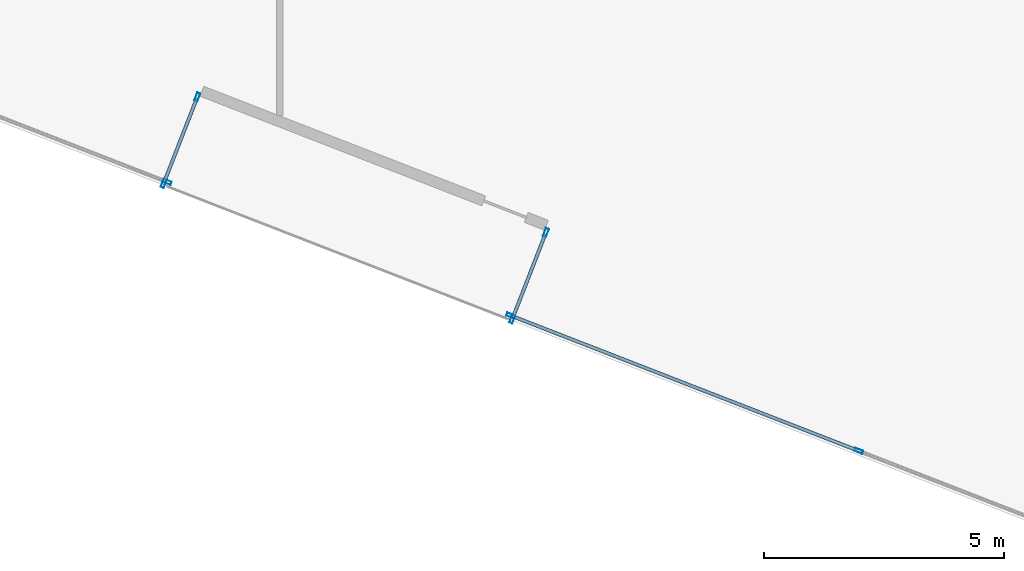
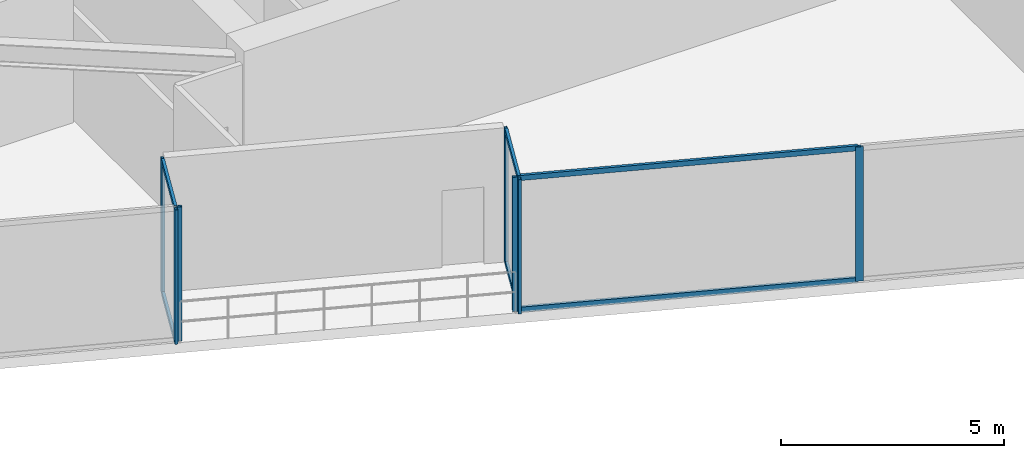
# One storey, part 3 of 26: 13 members, 4 elements without a shape of their own.
"""IFC4 building model written with IfcOpenShell, lengths in metres."""

from ifc_helpers import new_model, si_unit, direction, frame, origin, origin_2d, place, context, subcontext, project, spatial, hollow_rectangle, extrude, source, transform, mapped, material, material_profile, profile_set, type_object, type_shapes, element, aggregate, save


model = new_model("IFC4")

# Units and contexts
model_context = context("Model", 3, precision=1e-05, world=origin(), true_north=direction((0.0, 1.0)))
body_context = subcontext(model_context, "Body", "Model", "MODEL_VIEW")
ifc_project = project(units=[si_unit("LENGTHUNIT", "METRE"), si_unit("AREAUNIT", "SQUARE_METRE"), si_unit("VOLUMEUNIT", "CUBIC_METRE"), si_unit("PLANEANGLEUNIT", "RADIAN"), si_unit("MASSUNIT", "GRAM", prefix="KILO")], contexts=[model_context])

# Site, building, storey
site_placement = place(None, origin())
site = spatial("IfcSite", under=ifc_project, at=site_placement, CompositionType="ELEMENT")
building_placement = place(site_placement, origin())
building = spatial("IfcBuilding", under=site, at=building_placement, Name="Krantzveldt Concourse Tower", CompositionType="ELEMENT")
storey_placement = place(building_placement, frame((0.0, 0.0, 133.5)))
storey = spatial("IfcBuildingStorey", under=building, at=storey_placement, Name="L32", CompositionType="ELEMENT", Elevation=133.5)

# Curtain wall, member
ifc_material = material(Name="Anodised aluminium 6063-T6", Category="aluminium")
curtain_wall_type_1 = type_object("IfcCurtainWallType", Name="CW2", PredefinedType="USERDEFINED", material=ifc_material)
curtain_wall_1_placement = place(storey_placement, origin())
curtain_wall_1 = element("IfcCurtainWall", 1, at=curtain_wall_1_placement, inside=storey, type_object=curtain_wall_type_1, Name="CW-L32-F04", ObjectType="UNITISED CURTAIN WALL", PredefinedType="USERDEFINED")
ifc_material_profile_1 = material_profile(ifc_material, hollow_rectangle(XDim=0.070068359375, YDim=0.179931640625, WallThickness=0.0048828125, at=origin_2d()), Name="Anodised aluminium 6063-T6", Category="aluminium")
ifc_profile_set_1 = profile_set([ifc_material_profile_1], Name="Anodised aluminium 6063-T6 - ALU-MULL 180x70x5")
member_type_1 = type_object("IfcMemberType", Name="CW-MUL-180", PredefinedType="MULLION", material=ifc_profile_set_1)
shared_shape_1 = source(origin(), body_context, "Body", "SweptSolid", [
    extrude(hollow_rectangle(XDim=0.070068359375, YDim=0.179931640625, WallThickness=0.0048828125, at=origin_2d()), origin(), (0.0, 0.0, 1.0), 3.669921875),
])
type_shapes(member_type_1, [shared_shape_1])
member_1_placement = place(storey_placement, frame((23.977294921875, 6.36474609375, 0.0), z_axis=(0.0, 0.0, 1.0), x_axis=(0.362437908899, 0.932007919598, 0.0)))
member_1 = element("IfcMember", 2, at=member_1_placement, type_object=member_type_1, Name="CW-Z12 mullion 3", PredefinedType="MULLION", context=body_context, shape_type="MappedRepresentation", body=[
    mapped(shared_shape_1, transform((0.0, 0.0, 0.0), x_axis=(1.0, 0.0, 0.0), y_axis=(0.0, 1.0, 0.0), z_axis=(0.0, 0.0, 1.0), scale=1.0)),
])
aggregate(curtain_wall_1, [member_1])

# Curtain wall, members
curtain_wall_type_2 = type_object("IfcCurtainWallType", Name="CW6", PredefinedType="USERDEFINED", material=ifc_material)
curtain_wall_2_placement = place(storey_placement, origin())
curtain_wall_2 = element("IfcCurtainWall", 3, at=curtain_wall_2_placement, inside=storey, type_object=curtain_wall_type_2, Name="CW-L32-TR05", ObjectType="UNITISED CURTAIN WALL", PredefinedType="USERDEFINED")
member_2_placement = place(storey_placement, frame((23.906005859375, 6.33349609375, 0.0), z_axis=(0.0, 0.0, 1.0), x_axis=(-0.932007486518, 0.36243902256, 0.0)))
member_2 = element("IfcMember", 4, at=member_2_placement, type_object=member_type_1, Name="CW-TERR mullion 1", PredefinedType="MULLION", context=body_context, shape_type="MappedRepresentation", body=[
    mapped(shared_shape_1, transform((0.0, 0.0, 0.0), x_axis=(1.0, 0.0, 0.0), y_axis=(0.0, 1.0, 0.0), z_axis=(0.0, 0.0, 1.0), scale=1.0)),
])
member_3_placement = place(storey_placement, frame((24.605712890625, 8.13232421875, 0.0), z_axis=(0.0, 0.0, 1.0), x_axis=(-0.932007486518, 0.36243902256, 0.0)))
member_3 = element("IfcMember", 5, at=member_3_placement, type_object=member_type_1, Name="CW-TERR mullion 2", PredefinedType="MULLION", context=body_context, shape_type="MappedRepresentation", body=[
    mapped(shared_shape_1, transform((0.0, 0.0, 0.0), x_axis=(1.0, 0.0, 0.0), y_axis=(0.0, 1.0, 0.0), z_axis=(0.0, 0.0, 1.0), scale=1.0)),
])

curtain_wall_3_placement = place(storey_placement, origin())
curtain_wall_3 = element("IfcCurtainWall", 6, at=curtain_wall_3_placement, inside=storey, type_object=curtain_wall_type_2, Name="CW-L32-TR07", ObjectType="UNITISED CURTAIN WALL", PredefinedType="USERDEFINED")
member_4_placement = place(storey_placement, frame((31.856689453125, 5.3125, 0.0), z_axis=(0.0, 0.0, 1.0), x_axis=(0.932007486518, -0.36243902256, 0.0)))
member_4 = element("IfcMember", 7, at=member_4_placement, type_object=member_type_1, Name="CW-TERR mullion 1", PredefinedType="MULLION", context=body_context, shape_type="MappedRepresentation", body=[
    mapped(shared_shape_1, transform((0.0, 0.0, 0.0), x_axis=(1.0, 0.0, 0.0), y_axis=(0.0, 1.0, 0.0), z_axis=(0.0, 0.0, 1.0), scale=1.0)),
])
member_5_placement = place(storey_placement, frame((31.1572265625, 3.513671875, 0.0), z_axis=(0.0, 0.0, 1.0), x_axis=(0.932007486518, -0.36243902256, 0.0)))
member_5 = element("IfcMember", 8, at=member_5_placement, type_object=member_type_1, Name="CW-TERR mullion 2", PredefinedType="MULLION", context=body_context, shape_type="MappedRepresentation", body=[
    mapped(shared_shape_1, transform((0.0, 0.0, 0.0), x_axis=(1.0, 0.0, 0.0), y_axis=(0.0, 1.0, 0.0), z_axis=(0.0, 0.0, 1.0), scale=1.0)),
])

curtain_wall_4_placement = place(storey_placement, origin())
curtain_wall_4 = element("IfcCurtainWall", 9, at=curtain_wall_4_placement, inside=storey, type_object=curtain_wall_type_1, Name="CW-L32-F08", ObjectType="UNITISED CURTAIN WALL", PredefinedType="USERDEFINED")
member_6_placement = place(storey_placement, frame((31.125732421875, 3.5849609375, 0.0), z_axis=(0.0, 0.0, 1.0), x_axis=(0.362437908899, 0.932007919598, 0.0)))
member_6 = element("IfcMember", 10, at=member_6_placement, type_object=member_type_1, Name="CW-Z12 mullion 1", PredefinedType="MULLION", context=body_context, shape_type="MappedRepresentation", body=[
    mapped(shared_shape_1, transform((0.0, 0.0, 0.0), x_axis=(1.0, 0.0, 0.0), y_axis=(0.0, 1.0, 0.0), z_axis=(0.0, 0.0, 1.0), scale=1.0)),
])
member_7_placement = place(storey_placement, frame((38.36279296875, 0.7705078125, 0.0), z_axis=(0.0, 0.0, 1.0), x_axis=(0.362437908899, 0.932007919598, 0.0)))
member_7 = element("IfcMember", 11, at=member_7_placement, type_object=member_type_1, Name="CW-Z12 mullion 2", PredefinedType="MULLION", context=body_context, shape_type="MappedRepresentation", body=[
    mapped(shared_shape_1, transform((0.0, 0.0, 0.0), x_axis=(1.0, 0.0, 0.0), y_axis=(0.0, 1.0, 0.0), z_axis=(0.0, 0.0, 1.0), scale=1.0)),
])

# Member
ifc_material_profile_2 = material_profile(ifc_material, hollow_rectangle(XDim=0.070068359375, YDim=0.139892578125, WallThickness=0.0048828125, at=origin_2d()), Name="Anodised aluminium 6063-T6", Category="aluminium")
ifc_profile_set_2 = profile_set([ifc_material_profile_2], Name="Anodised aluminium 6063-T6 - ALU-TRAN 140x70x5")
member_type_2 = type_object("IfcMemberType", Name="CW-TRN-150", PredefinedType="USERDEFINED", material=ifc_profile_set_2)
shared_shape_2 = source(origin(), body_context, "Body", "SweptSolid", [
    extrude(hollow_rectangle(XDim=0.070068359375, YDim=0.139892578125, WallThickness=0.0048828125, at=origin_2d()), origin(), (0.0, 0.0, 1.0), 1.860107421875),
])
member_8_placement = place(storey_placement, frame((31.843994140625, 5.280029296875, 0.034912109375), z_axis=(-0.362389255196, -0.932026838518, 0.0), x_axis=(0.932026838518, -0.362389255196, 0.0)))
member_8 = element("IfcMember", 12, at=member_8_placement, type_object=member_type_2, Name="CW-TERR transom 1.1", ObjectType="TRANSOM", PredefinedType="USERDEFINED", context=body_context, shape_type="MappedRepresentation", body=[
    mapped(shared_shape_2, transform((0.0, 0.0, 0.0), x_axis=(1.0, 0.0, 0.0), y_axis=(0.0, 1.0, 0.0), z_axis=(0.0, 0.0, 1.0), scale=1.0)),
])

member_9_placement = place(storey_placement, frame((31.843994140625, 5.280029296875, 3.635009765625), z_axis=(-0.362389255196, -0.932026838518, 0.0), x_axis=(0.932026838518, -0.362389255196, 0.0)))
member_9 = element("IfcMember", 13, at=member_9_placement, type_object=member_type_2, Name="CW-TERR transom 1.2", ObjectType="TRANSOM", PredefinedType="USERDEFINED", context=body_context, shape_type="MappedRepresentation", body=[
    mapped(shared_shape_2, transform((0.0, 0.0, 0.0), x_axis=(1.0, 0.0, 0.0), y_axis=(0.0, 1.0, 0.0), z_axis=(0.0, 0.0, 1.0), scale=1.0)),
])

aggregate(curtain_wall_3, [member_4, member_5, member_8, member_9])

shared_shape_3 = source(origin(), body_context, "Body", "SweptSolid", [
    extrude(hollow_rectangle(XDim=0.070068359375, YDim=0.139892578125, WallThickness=0.0048828125, at=origin_2d()), origin(), (0.0, 0.0, 1.0), 7.695068359375),
])
member_10_placement = place(storey_placement, frame((31.158447265625, 3.572265625, 0.034912109375), z_axis=(0.932004671541, -0.362446261155, 0.0), x_axis=(0.362446261155, 0.932004671541, 0.0)))
member_10 = element("IfcMember", 14, at=member_10_placement, type_object=member_type_2, Name="CW-Z12 transom 1.1", ObjectType="TRANSOM", PredefinedType="USERDEFINED", context=body_context, shape_type="MappedRepresentation", body=[
    mapped(shared_shape_3, transform((0.0, 0.0, 0.0), x_axis=(1.0, 0.0, 0.0), y_axis=(0.0, 1.0, 0.0), z_axis=(0.0, 0.0, 1.0), scale=1.0)),
])

member_11_placement = place(storey_placement, frame((31.158447265625, 3.572265625, 3.635009765625), z_axis=(0.932004671541, -0.362446261155, 0.0), x_axis=(0.362446261155, 0.932004671541, 0.0)))
member_11 = element("IfcMember", 15, at=member_11_placement, type_object=member_type_2, Name="CW-Z12 transom 1.2", ObjectType="TRANSOM", PredefinedType="USERDEFINED", context=body_context, shape_type="MappedRepresentation", body=[
    mapped(shared_shape_3, transform((0.0, 0.0, 0.0), x_axis=(1.0, 0.0, 0.0), y_axis=(0.0, 1.0, 0.0), z_axis=(0.0, 0.0, 1.0), scale=1.0)),
])

aggregate(curtain_wall_4, [member_6, member_7, member_10, member_11])

shared_shape_4 = source(origin(), body_context, "Body", "SweptSolid", [
    extrude(hollow_rectangle(XDim=0.070068359375, YDim=0.139892578125, WallThickness=0.0048828125, at=origin_2d()), origin(), (0.0, 0.0, 1.0), 1.85986328125),
])
type_shapes(member_type_2, [shared_shape_2, shared_shape_3, shared_shape_4])
member_12_placement = place(storey_placement, frame((23.918701171875, 6.3662109375, 0.034912109375), z_axis=(0.362547609309, 0.931965252026, 0.0), x_axis=(-0.931965252026, 0.362547609309, 0.0)))
member_12 = element("IfcMember", 16, at=member_12_placement, type_object=member_type_2, Name="CW-TERR transom 1.1", ObjectType="TRANSOM", PredefinedType="USERDEFINED", context=body_context, shape_type="MappedRepresentation", body=[
    mapped(shared_shape_4, transform((0.0, 0.0, 0.0), x_axis=(1.0, 0.0, 0.0), y_axis=(0.0, 1.0, 0.0), z_axis=(0.0, 0.0, 1.0), scale=1.0)),
])

member_13_placement = place(storey_placement, frame((23.918701171875, 6.3662109375, 3.635009765625), z_axis=(0.362547609309, 0.931965252026, 0.0), x_axis=(-0.931965252026, 0.362547609309, 0.0)))
member_13 = element("IfcMember", 17, at=member_13_placement, type_object=member_type_2, Name="CW-TERR transom 1.2", ObjectType="TRANSOM", PredefinedType="USERDEFINED", context=body_context, shape_type="MappedRepresentation", body=[
    mapped(shared_shape_4, transform((0.0, 0.0, 0.0), x_axis=(1.0, 0.0, 0.0), y_axis=(0.0, 1.0, 0.0), z_axis=(0.0, 0.0, 1.0), scale=1.0)),
])

aggregate(curtain_wall_2, [member_2, member_3, member_12, member_13])

save(model, "model.ifc")
